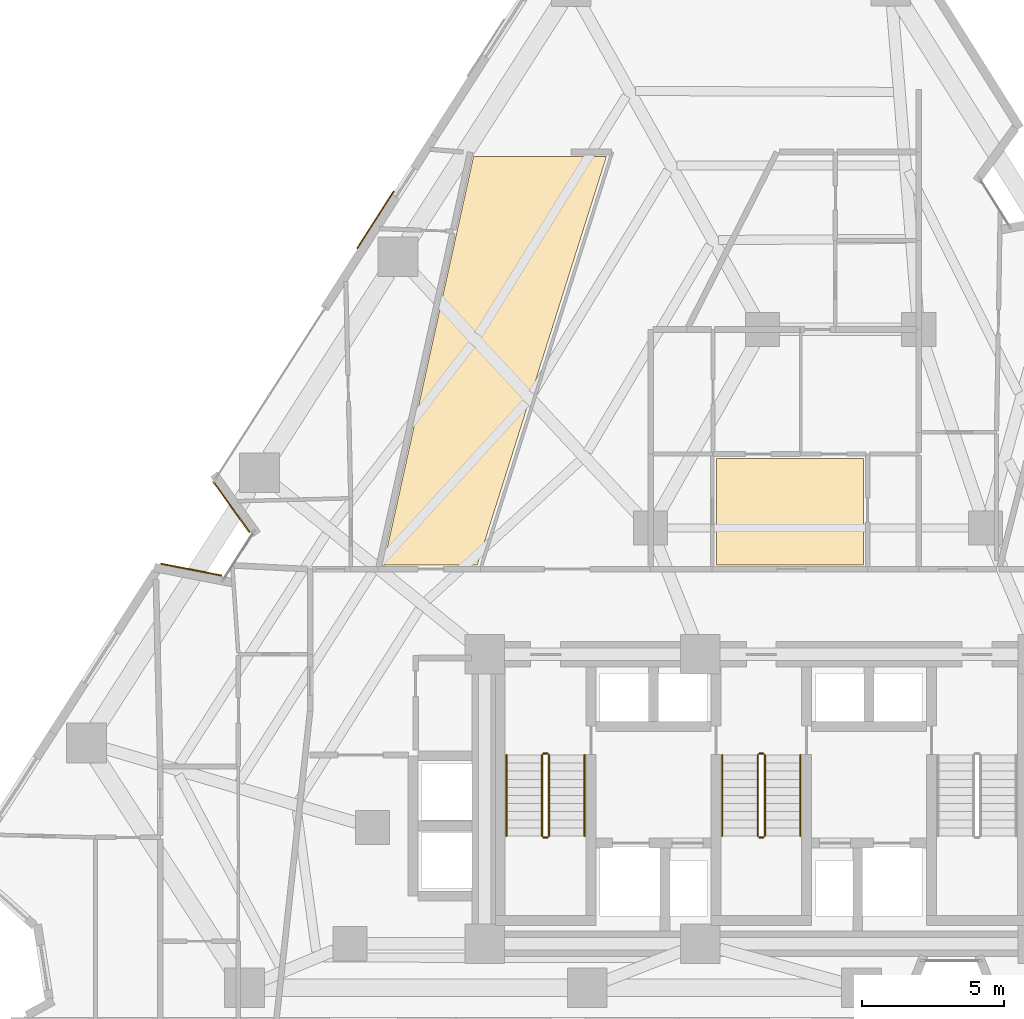
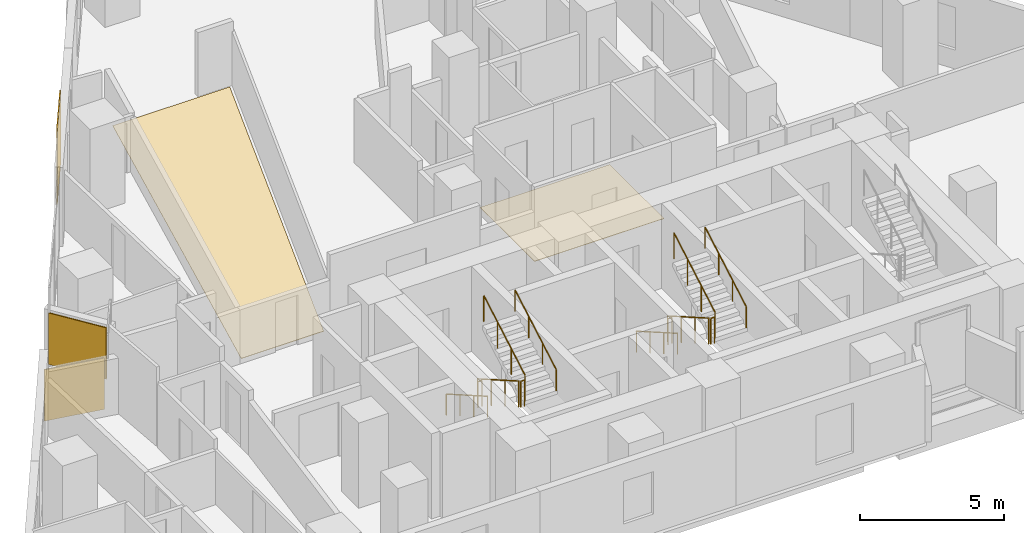
# One storey, part 12 of 14: 12 railings, 5 coverings.
"""IFC4 building model written with IfcOpenShell, lengths in metres."""

from ifc_helpers import new_model, si_unit, direction, frame, origin, origin_2d, place, context, subcontext, project, spatial, polyline, rectangle, circle, outline, extrude, material, layer, layer_set, type_object, element, save


model = new_model("IFC4")

# Units and contexts
model_context = context("Model", 3, precision=1e-05, world=origin(), true_north=direction((0.0, 1.0)))
body_context = subcontext(model_context, "Body", "Model", "MODEL_VIEW")
ifc_project = project(units=[si_unit("LENGTHUNIT", "METRE"), si_unit("AREAUNIT", "SQUARE_METRE"), si_unit("VOLUMEUNIT", "CUBIC_METRE"), si_unit("PLANEANGLEUNIT", "RADIAN"), si_unit("MASSUNIT", "GRAM", prefix="KILO")], contexts=[model_context])

# Site, building, storey
site_placement = place(None, origin())
site = spatial("IfcSite", under=ifc_project, at=site_placement, CompositionType="ELEMENT")
building_placement = place(site_placement, origin())
building = spatial("IfcBuilding", under=site, at=building_placement, Name="Almagre Mirador Tower", CompositionType="ELEMENT")
storey_placement = place(building_placement, frame((0.0, 0.0, 60.60009765625)))
storey = spatial("IfcBuildingStorey", under=building, at=storey_placement, Name="L14", CompositionType="ELEMENT", Elevation=60.60009765625)

# Coverings
ifc_material_1 = material(Name="Almagre terracotta architectural cladding", Category="masonry")
ifc_layer_1 = layer(ifc_material_1, 0.044921875)
ifc_layer_set_1 = layer_set([ifc_layer_1], Name="Almagre terracotta architectural cladding")
covering_type_1 = type_object("IfcCoveringType", Name="COV-CLAD-ALMAGRE", PredefinedType="CLADDING", material=ifc_layer_set_1)
covering_1_placement = place(storey_placement, frame((17.211181640625, 17.734375, 0.10009765625), z_axis=(0.0, 0.0, 1.0), x_axis=(0.981746878502, -0.190192183203, 0.0)))
element("IfcCovering", 1, at=covering_1_placement, inside=storey, type_object=covering_type_1, Name="L14 almagre terracotta pier cladding", PredefinedType="CLADDING", context=body_context, shape_type="SweptSolid", body=[
    extrude(rectangle(XDim=2.193115234375, YDim=0.044921875, at=origin_2d()), origin(), (0.0, 0.0, 1.0), 2.175048828125),
])
covering_2_placement = place(storey_placement, frame((18.627197265625, 19.9443359375, 0.10009765625), z_axis=(0.0, 0.0, 1.0), x_axis=(-0.583002488864, 0.812470367446, 0.0)))
element("IfcCovering", 2, at=covering_2_placement, inside=storey, type_object=covering_type_1, Name="L14 almagre terracotta pier cladding", PredefinedType="CLADDING", context=body_context, shape_type="SweptSolid", body=[
    extrude(rectangle(XDim=2.194091796875, YDim=0.044921875, at=origin_2d()), origin(), (0.0, 0.0, 1.0), 2.175048828125),
])
covering_3_placement = place(storey_placement, frame((23.70458984375, 30.0625, 0.099853515625), z_axis=(0.0, 0.0, 1.0), x_axis=(0.539505758171, 0.841981910079, 0.0)))
element("IfcCovering", 3, at=covering_3_placement, inside=storey, type_object=covering_type_1, Name="L14 almagre terracotta pier cladding", PredefinedType="CLADDING", context=body_context, shape_type="SweptSolid", body=[
    extrude(rectangle(XDim=2.39990234375, YDim=0.044921875, at=origin_2d()), origin(), (0.0, 0.0, 1.0), 3.14990234375),
])
ifc_material_2 = material(Name="Engineered white oak flooring", Category="wood")
ifc_layer_2 = layer(ifc_material_2, 0.01806640625)
ifc_layer_set_2 = layer_set([ifc_layer_2], Name="Engineered white oak flooring")
covering_type_2 = type_object("IfcCoveringType", Name="COV-FLR-OAK-18", PredefinedType="FLOORING", material=ifc_layer_set_2)
covering_4_placement = place(storey_placement, origin())
element("IfcCovering", 4, at=covering_4_placement, inside=storey, type_object=covering_type_2, Name="L14 L14 Residents Reading Gallery G finish flooring", PredefinedType="FLOORING", context=body_context, shape_type="SweptSolid", body=[
    extrude(outline(polyline([(27.160888671875, 32.300048828125), (31.844970703125, 32.300048828125), (27.2900390625, 17.89990234375), (23.987060546875, 17.89990234375), (27.160888671875, 32.300048828125)])), origin(), (0.0, 0.0, 1.0), 0.017822265625),
])
covering_5_placement = place(storey_placement, origin())
element("IfcCovering", 5, at=covering_5_placement, inside=storey, type_object=covering_type_2, Name="L14 Unit L14-J Living and Dining Room finish flooring", PredefinedType="FLOORING", context=body_context, shape_type="SweptSolid", body=[
    extrude(outline(polyline([(35.719970703125, 21.659912109375), (40.89990234375, 21.659912109375), (40.89990234375, 17.89990234375), (35.719970703125, 17.89990234375), (35.719970703125, 21.659912109375)])), origin(), (0.0, 0.0, 1.0), 0.017822265625),
])

# Railings
ifc_material_3 = material(Name="Painted galvanized steel", Category="steel")
railing_type_1 = type_object("IfcRailingType", Name="RLG-GRD-1100", PredefinedType="GUARDRAIL", material=ifc_material_3)
railing_1_placement = place(storey_placement, frame((29.574951171875, 11.199951171875, 0.16357421875)))
element("IfcRailing", 6, at=railing_1_placement, inside=storey, type_object=railing_type_1, Name="L14 ST-1 stair guard 1", PredefinedType="GUARDRAIL", context=body_context, shape_type="SweptSolid", body=[
    extrude(circle(Radius=0.02392578125, at=origin_2d()), frame((0.0, 0.0, 1.09619140625), z_axis=(0.0, -0.867226363773, 0.497914082927), x_axis=(1.0, 0.0, 0.0)), (0.0, 0.0, 1.0), 3.2861328125),
    extrude(circle(Radius=0.02099609375, at=origin_2d()), origin(), (0.0, 0.0, 1.0), 1.072021484375),
    extrude(circle(Radius=0.02099609375, at=origin_2d()), frame((0.0, -0.949951171875, 0.54541015625)), (0.0, 0.0, 1.0), 1.072021484375),
    extrude(circle(Radius=0.02099609375, at=origin_2d()), frame((0.0, -1.89990234375, 1.0908203125)), (0.0, 0.0, 1.0), 1.072021484375),
    extrude(circle(Radius=0.02099609375, at=origin_2d()), frame((0.0, -2.849853515625, 1.63623046875)), (0.0, 0.0, 1.0), 1.072021484375),
])
railing_2_placement = place(storey_placement, frame((29.625, 8.300048828125, 1.7998046875)))
element("IfcRailing", 7, at=railing_2_placement, inside=storey, type_object=railing_type_1, Name="L14 ST-1 stair guard 2", PredefinedType="GUARDRAIL", context=body_context, shape_type="SweptSolid", body=[
    extrude(circle(Radius=0.02392578125, at=origin_2d()), frame((0.0, 0.0, 1.09619140625), z_axis=(1.0, 0.0, 0.0), x_axis=(0.0, 1.0, 0.0)), (0.0, 0.0, 1.0), 0.14990234375),
    extrude(circle(Radius=0.02099609375, at=origin_2d()), origin(), (0.0, 0.0, 1.0), 1.072021484375),
    extrude(circle(Radius=0.02099609375, at=origin_2d()), frame((0.14990234375, 0.0, 0.0)), (0.0, 0.0, 1.0), 1.072021484375),
])
railing_3_placement = place(storey_placement, frame((29.824951171875, 8.35009765625, 1.963623046875)))
element("IfcRailing", 8, at=railing_3_placement, inside=storey, type_object=railing_type_1, Name="L14 ST-1 stair guard 3", PredefinedType="GUARDRAIL", context=body_context, shape_type="SweptSolid", body=[
    extrude(circle(Radius=0.02392578125, at=origin_2d()), frame((0.0, 0.0, 1.09619140625), z_axis=(0.0, 0.867226363773, 0.497914082927), x_axis=(-1.0, 0.0, 0.0)), (0.0, 0.0, 1.0), 3.2861328125),
    extrude(circle(Radius=0.02099609375, at=origin_2d()), origin(), (0.0, 0.0, 1.0), 1.072021484375),
    extrude(circle(Radius=0.02099609375, at=origin_2d()), frame((0.0, 0.949951171875, 0.54541015625)), (0.0, 0.0, 1.0), 1.072021484375),
    extrude(circle(Radius=0.02099609375, at=origin_2d()), frame((0.0, 1.89990234375, 1.0908203125)), (0.0, 0.0, 1.0), 1.072021484375),
    extrude(circle(Radius=0.02099609375, at=origin_2d()), frame((0.0, 2.849853515625, 1.63623046875)), (0.0, 0.0, 1.0), 1.072021484375),
])
railing_4_placement = place(storey_placement, frame((29.625, 11.25, 0.0)))
element("IfcRailing", 9, at=railing_4_placement, inside=storey, type_object=railing_type_1, Name="L14 ST-1 stair guard 4", PredefinedType="GUARDRAIL", context=body_context, shape_type="SweptSolid", body=[
    extrude(circle(Radius=0.02392578125, at=origin_2d()), frame((0.0, 0.0, 1.09619140625), z_axis=(1.0, 0.0, 0.0), x_axis=(0.0, 1.0, 0.0)), (0.0, 0.0, 1.0), 0.14990234375),
    extrude(circle(Radius=0.02099609375, at=origin_2d()), origin(), (0.0, 0.0, 1.0), 1.072021484375),
    extrude(circle(Radius=0.02099609375, at=origin_2d()), frame((0.14990234375, 0.0, 0.0)), (0.0, 0.0, 1.0), 1.072021484375),
])
railing_5_placement = place(storey_placement, frame((37.175048828125, 11.199951171875, 0.16357421875)))
element("IfcRailing", 10, at=railing_5_placement, inside=storey, type_object=railing_type_1, Name="L14 ST-2 stair guard 1", PredefinedType="GUARDRAIL", context=body_context, shape_type="SweptSolid", body=[
    extrude(circle(Radius=0.02392578125, at=origin_2d()), frame((0.0, 0.0, 1.09619140625), z_axis=(0.0, -0.867226363773, 0.497914082927), x_axis=(1.0, 0.0, 0.0)), (0.0, 0.0, 1.0), 3.2861328125),
    extrude(circle(Radius=0.02099609375, at=origin_2d()), origin(), (0.0, 0.0, 1.0), 1.072021484375),
    extrude(circle(Radius=0.02099609375, at=origin_2d()), frame((0.0, -0.949951171875, 0.54541015625)), (0.0, 0.0, 1.0), 1.072021484375),
    extrude(circle(Radius=0.02099609375, at=origin_2d()), frame((0.0, -1.89990234375, 1.0908203125)), (0.0, 0.0, 1.0), 1.072021484375),
    extrude(circle(Radius=0.02099609375, at=origin_2d()), frame((0.0, -2.849853515625, 1.63623046875)), (0.0, 0.0, 1.0), 1.072021484375),
])
railing_6_placement = place(storey_placement, frame((37.22509765625, 8.300048828125, 1.7998046875)))
element("IfcRailing", 11, at=railing_6_placement, inside=storey, type_object=railing_type_1, Name="L14 ST-2 stair guard 2", PredefinedType="GUARDRAIL", context=body_context, shape_type="SweptSolid", body=[
    extrude(circle(Radius=0.02392578125, at=origin_2d()), frame((0.0, 0.0, 1.09619140625), z_axis=(1.0, 0.0, 0.0), x_axis=(0.0, 1.0, 0.0)), (0.0, 0.0, 1.0), 0.14990234375),
    extrude(circle(Radius=0.02099609375, at=origin_2d()), origin(), (0.0, 0.0, 1.0), 1.072021484375),
    extrude(circle(Radius=0.02099609375, at=origin_2d()), frame((0.14990234375, 0.0, 0.0)), (0.0, 0.0, 1.0), 1.072021484375),
])
railing_7_placement = place(storey_placement, frame((37.425048828125, 8.35009765625, 1.963623046875)))
element("IfcRailing", 12, at=railing_7_placement, inside=storey, type_object=railing_type_1, Name="L14 ST-2 stair guard 3", PredefinedType="GUARDRAIL", context=body_context, shape_type="SweptSolid", body=[
    extrude(circle(Radius=0.02392578125, at=origin_2d()), frame((0.0, 0.0, 1.09619140625), z_axis=(0.0, 0.867226363773, 0.497914082927), x_axis=(-1.0, 0.0, 0.0)), (0.0, 0.0, 1.0), 3.2861328125),
    extrude(circle(Radius=0.02099609375, at=origin_2d()), origin(), (0.0, 0.0, 1.0), 1.072021484375),
    extrude(circle(Radius=0.02099609375, at=origin_2d()), frame((0.0, 0.949951171875, 0.54541015625)), (0.0, 0.0, 1.0), 1.072021484375),
    extrude(circle(Radius=0.02099609375, at=origin_2d()), frame((0.0, 1.89990234375, 1.0908203125)), (0.0, 0.0, 1.0), 1.072021484375),
    extrude(circle(Radius=0.02099609375, at=origin_2d()), frame((0.0, 2.849853515625, 1.63623046875)), (0.0, 0.0, 1.0), 1.072021484375),
])
railing_8_placement = place(storey_placement, frame((37.22509765625, 11.25, 0.0)))
element("IfcRailing", 13, at=railing_8_placement, inside=storey, type_object=railing_type_1, Name="L14 ST-2 stair guard 4", PredefinedType="GUARDRAIL", context=body_context, shape_type="SweptSolid", body=[
    extrude(circle(Radius=0.02392578125, at=origin_2d()), frame((0.0, 0.0, 1.09619140625), z_axis=(1.0, 0.0, 0.0), x_axis=(0.0, 1.0, 0.0)), (0.0, 0.0, 1.0), 0.14990234375),
    extrude(circle(Radius=0.02099609375, at=origin_2d()), origin(), (0.0, 0.0, 1.0), 1.072021484375),
    extrude(circle(Radius=0.02099609375, at=origin_2d()), frame((0.14990234375, 0.0, 0.0)), (0.0, 0.0, 1.0), 1.072021484375),
])
ifc_material_4 = material(Name="Brushed stainless steel", Category="steel")
railing_type_2 = type_object("IfcRailingType", Name="RLG-HND-915", PredefinedType="HANDRAIL", material=ifc_material_4)
railing_9_placement = place(storey_placement, frame((28.324951171875, 11.199951171875, 0.16357421875)))
element("IfcRailing", 14, at=railing_9_placement, inside=storey, type_object=railing_type_2, Name="L14 ST-1 stair handrail 1", PredefinedType="HANDRAIL", context=body_context, shape_type="SweptSolid", body=[
    extrude(circle(Radius=0.02392578125, at=origin_2d()), frame((0.0, 0.0, 0.89111328125), z_axis=(0.0, -0.867226363773, 0.497914082927), x_axis=(1.0, 0.0, 0.0)), (0.0, 0.0, 1.0), 3.2861328125),
    extrude(circle(Radius=0.02099609375, at=origin_2d()), origin(), (0.0, 0.0, 1.0), 0.866943359375),
    extrude(circle(Radius=0.02099609375, at=origin_2d()), frame((0.0, -0.949951171875, 0.54541015625)), (0.0, 0.0, 1.0), 0.866943359375),
    extrude(circle(Radius=0.02099609375, at=origin_2d()), frame((0.0, -1.89990234375, 1.0908203125)), (0.0, 0.0, 1.0), 0.866943359375),
    extrude(circle(Radius=0.02099609375, at=origin_2d()), frame((0.0, -2.849853515625, 1.63623046875)), (0.0, 0.0, 1.0), 0.866943359375),
])
railing_10_placement = place(storey_placement, frame((31.074951171875, 8.35009765625, 1.963623046875)))
element("IfcRailing", 15, at=railing_10_placement, inside=storey, type_object=railing_type_2, Name="L14 ST-1 stair handrail 2", PredefinedType="HANDRAIL", context=body_context, shape_type="SweptSolid", body=[
    extrude(circle(Radius=0.02392578125, at=origin_2d()), frame((0.0, 0.0, 0.89111328125), z_axis=(0.0, 0.867226363773, 0.497914082927), x_axis=(-1.0, 0.0, 0.0)), (0.0, 0.0, 1.0), 3.2861328125),
    extrude(circle(Radius=0.02099609375, at=origin_2d()), origin(), (0.0, 0.0, 1.0), 0.866943359375),
    extrude(circle(Radius=0.02099609375, at=origin_2d()), frame((0.0, 0.949951171875, 0.54541015625)), (0.0, 0.0, 1.0), 0.866943359375),
    extrude(circle(Radius=0.02099609375, at=origin_2d()), frame((0.0, 1.89990234375, 1.0908203125)), (0.0, 0.0, 1.0), 0.866943359375),
    extrude(circle(Radius=0.02099609375, at=origin_2d()), frame((0.0, 2.849853515625, 1.63623046875)), (0.0, 0.0, 1.0), 0.866943359375),
])
railing_11_placement = place(storey_placement, frame((35.925048828125, 11.199951171875, 0.16357421875)))
element("IfcRailing", 16, at=railing_11_placement, inside=storey, type_object=railing_type_2, Name="L14 ST-2 stair handrail 1", PredefinedType="HANDRAIL", context=body_context, shape_type="SweptSolid", body=[
    extrude(circle(Radius=0.02392578125, at=origin_2d()), frame((0.0, 0.0, 0.89111328125), z_axis=(0.0, -0.867226363773, 0.497914082927), x_axis=(1.0, 0.0, 0.0)), (0.0, 0.0, 1.0), 3.2861328125),
    extrude(circle(Radius=0.02099609375, at=origin_2d()), origin(), (0.0, 0.0, 1.0), 0.866943359375),
    extrude(circle(Radius=0.02099609375, at=origin_2d()), frame((0.0, -0.949951171875, 0.54541015625)), (0.0, 0.0, 1.0), 0.866943359375),
    extrude(circle(Radius=0.02099609375, at=origin_2d()), frame((0.0, -1.89990234375, 1.0908203125)), (0.0, 0.0, 1.0), 0.866943359375),
    extrude(circle(Radius=0.02099609375, at=origin_2d()), frame((0.0, -2.849853515625, 1.63623046875)), (0.0, 0.0, 1.0), 0.866943359375),
])
railing_12_placement = place(storey_placement, frame((38.675048828125, 8.35009765625, 1.963623046875)))
element("IfcRailing", 17, at=railing_12_placement, inside=storey, type_object=railing_type_2, Name="L14 ST-2 stair handrail 2", PredefinedType="HANDRAIL", context=body_context, shape_type="SweptSolid", body=[
    extrude(circle(Radius=0.02392578125, at=origin_2d()), frame((0.0, 0.0, 0.89111328125), z_axis=(0.0, 0.867226363773, 0.497914082927), x_axis=(-1.0, 0.0, 0.0)), (0.0, 0.0, 1.0), 3.2861328125),
    extrude(circle(Radius=0.02099609375, at=origin_2d()), origin(), (0.0, 0.0, 1.0), 0.866943359375),
    extrude(circle(Radius=0.02099609375, at=origin_2d()), frame((0.0, 0.949951171875, 0.54541015625)), (0.0, 0.0, 1.0), 0.866943359375),
    extrude(circle(Radius=0.02099609375, at=origin_2d()), frame((0.0, 1.89990234375, 1.0908203125)), (0.0, 0.0, 1.0), 0.866943359375),
    extrude(circle(Radius=0.02099609375, at=origin_2d()), frame((0.0, 2.849853515625, 1.63623046875)), (0.0, 0.0, 1.0), 0.866943359375),
])

save(model, "model.ifc")
